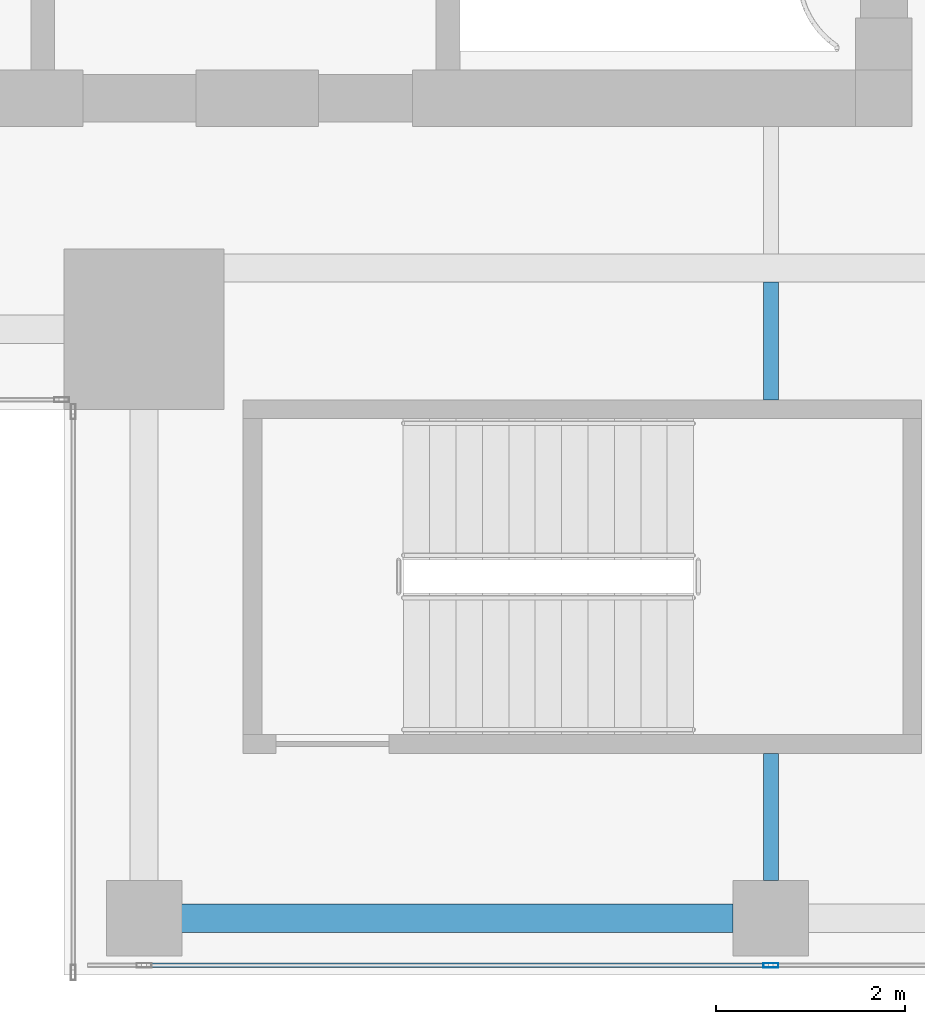
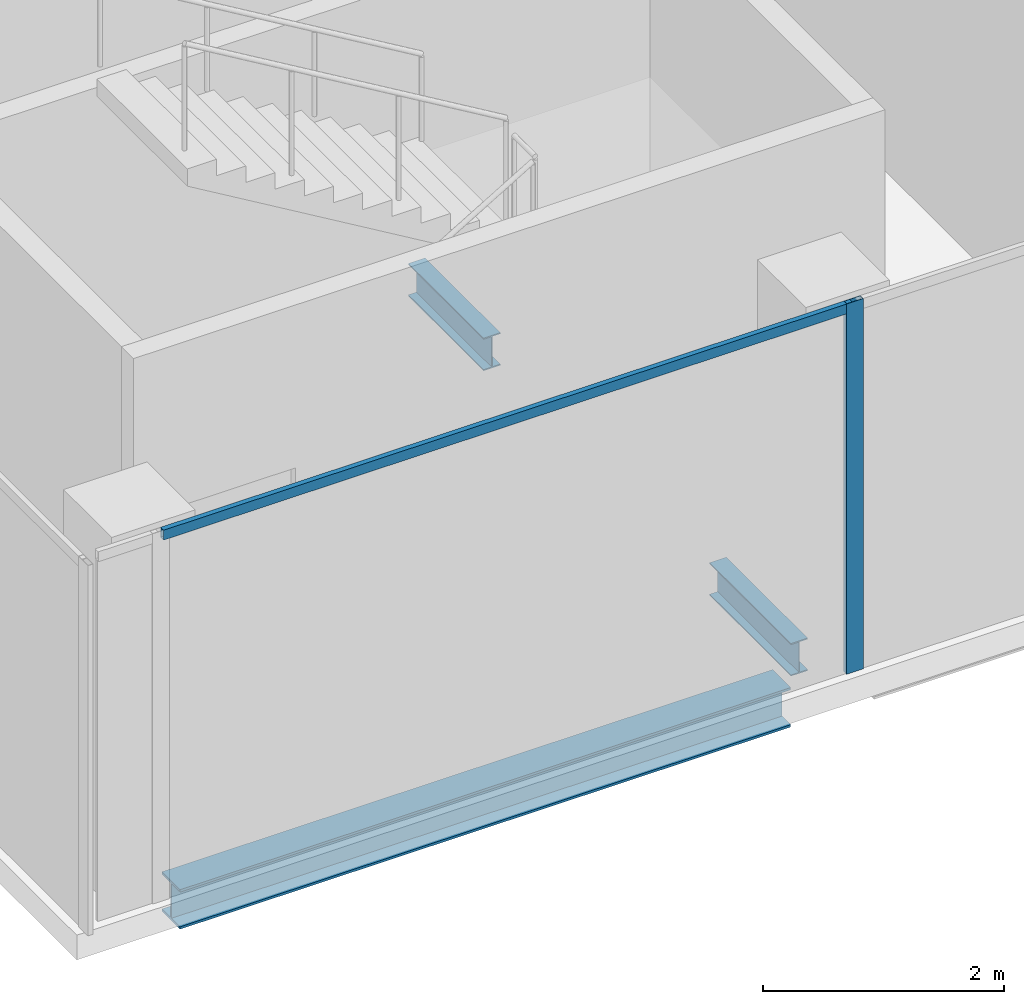
# One storey, part 3 of 29: 3 beams, 2 members, 1 element without a shape of its own.
"""IFC4 building model written with IfcOpenShell, lengths in metres."""

from ifc_helpers import new_model, si_unit, direction, frame, origin, origin_2d, place, context, subcontext, project, spatial, hollow_rectangle, i_section, extrude, source, transform, mapped, material, material_profile, profile_set, type_object, element, aggregate, save


model = new_model("IFC4")

# Units and contexts
model_context = context("Model", 3, precision=1e-05, world=origin(), true_north=direction((0.0, 1.0)))
body_context = subcontext(model_context, "Body", "Model", "MODEL_VIEW")
ifc_project = project(units=[si_unit("LENGTHUNIT", "METRE"), si_unit("AREAUNIT", "SQUARE_METRE"), si_unit("VOLUMEUNIT", "CUBIC_METRE"), si_unit("PLANEANGLEUNIT", "RADIAN"), si_unit("MASSUNIT", "GRAM", prefix="KILO")], contexts=[model_context])

# Site, building, storey
site_placement = place(None, origin())
site = spatial("IfcSite", under=ifc_project, at=site_placement, CompositionType="ELEMENT")
building_placement = place(site_placement, origin())
building = spatial("IfcBuilding", under=site, at=building_placement, Name="Khomas Fold Tower", CompositionType="ELEMENT")
storey_placement = place(building_placement, frame((0.0, 0.0, 326.199951171875)))
storey = spatial("IfcBuildingStorey", under=building, at=storey_placement, Name="L74", CompositionType="ELEMENT", Elevation=326.199951171875)

# Beams
ifc_material_1 = material(Name="Steel S355", Category="steel")
ifc_material_profile_1 = material_profile(ifc_material_1, i_section(OverallWidth=0.159912109375, OverallDepth=0.330078125, WebThickness=0.007568359375, FlangeThickness=0.011474609375, at=origin_2d()), Name="IPE 330")
ifc_profile_set_1 = profile_set([ifc_material_profile_1], Name="Steel S355")
beam_type_1 = type_object("IfcBeamType", Name="IPE 330 beam JB1", PredefinedType="BEAM", material=ifc_profile_set_1)
shared_shape_1 = source(origin(), body_context, "Body", "SweptSolid", [
    extrude(i_section(OverallWidth=0.159912109375, OverallDepth=0.330078125, WebThickness=0.007568359375, FlangeThickness=0.011474609375, at=origin_2d()), origin(), (0.0, 0.0, 1.0), 1.25),
])
beam_1_placement = place(storey_placement, frame((19.5, 12.10009765625, -0.4150390625), z_axis=(0.0, 1.0, 0.0), x_axis=(-1.0, 0.0, 0.0)))
element("IfcBeam", 1, at=beam_1_placement, inside=storey, type_object=beam_type_1, Name="JB1", PredefinedType="BEAM", context=body_context, shape_type="MappedRepresentation", body=[
    mapped(shared_shape_1, transform((0.0, 0.0, 0.0))),
])
shared_shape_2 = source(origin(), body_context, "Body", "SweptSolid", [
    extrude(i_section(OverallWidth=0.159912109375, OverallDepth=0.330078125, WebThickness=0.007568359375, FlangeThickness=0.011474609375, at=origin_2d()), origin(), (0.0, 0.0, 1.0), 1.35009765625),
])
beam_2_placement = place(storey_placement, frame((19.5, 7.0, -0.4150390625), z_axis=(0.0, 1.0, 0.0), x_axis=(-1.0, 0.0, 0.0)))
element("IfcBeam", 2, at=beam_2_placement, inside=storey, type_object=beam_type_1, Name="JB1", PredefinedType="BEAM", context=body_context, shape_type="MappedRepresentation", body=[
    mapped(shared_shape_2, transform((0.0, 0.0, 0.0))),
])
ifc_material_2 = material(Name="Steel S355", Category="steel")
ifc_material_profile_2 = material_profile(ifc_material_2, i_section(OverallWidth=0.300048828125, OverallDepth=0.39990234375, WebThickness=0.013427734375, FlangeThickness=0.02392578125, at=origin_2d()), Name="HE 400 B")
ifc_profile_set_2 = profile_set([ifc_material_profile_2], Name="Steel S355")
beam_type_2 = type_object("IfcBeamType", Name="HE 400 B spandrel SB5", PredefinedType="SPANDREL", material=ifc_profile_set_2)
shared_shape_3 = source(origin(), body_context, "Body", "SweptSolid", [
    extrude(i_section(OverallWidth=0.300048828125, OverallDepth=0.39990234375, WebThickness=0.013427734375, FlangeThickness=0.02392578125, at=origin_2d()), origin(), (0.0, 0.0, 1.0), 5.85009765625),
])
beam_3_placement = place(storey_placement, frame((13.25, 6.60009765625, -0.449951171875), z_axis=(1.0, 0.0, 0.0), x_axis=(0.0, 1.0, 0.0)))
element("IfcBeam", 3, at=beam_3_placement, inside=storey, type_object=beam_type_2, Name="SB5", PredefinedType="SPANDREL", context=body_context, shape_type="MappedRepresentation", body=[
    mapped(shared_shape_3, transform((0.0, 0.0, 0.0))),
])

# Curtain wall, members
ifc_material_3 = material(Name="Aluminium framed double glazing", Category="aluminium")
curtain_wall_type = type_object("IfcCurtainWallType", Name="SK-Unitised clear-glass wall, upper floors CW3", PredefinedType="NOTDEFINED", material=ifc_material_3)
curtain_wall_placement = place(storey_placement, origin())
curtain_wall = element("IfcCurtainWall", 4, at=curtain_wall_placement, inside=storey, type_object=curtain_wall_type, Name="CW3 run L74 00-0", PredefinedType="NOTDEFINED")
ifc_material_4 = material(Name="Aluminium", Category="aluminium")
ifc_material_profile_3 = material_profile(ifc_material_4, hollow_rectangle(XDim=0.050048828125, YDim=0.159912109375, WallThickness=0.00390625, at=origin_2d()), Name="SK-Unitised clear-glass wall, upper floors mullion CW3-M")
ifc_profile_set_3 = profile_set([ifc_material_profile_3], Name="Aluminium")
member_type_1 = type_object("IfcMemberType", Name="SK-Unitised clear-glass wall, upper floors mullion CW3-M", PredefinedType="MULLION", material=ifc_profile_set_3)
shared_shape_4 = source(origin(), body_context, "Body", "SweptSolid", [
    extrude(hollow_rectangle(XDim=0.050048828125, YDim=0.159912109375, WallThickness=0.00390625, at=origin_2d()), origin(), (0.0, 0.0, 1.0), 3.75),
])
member_1_placement = place(storey_placement, frame((19.5, 6.10009765625, 0.0), z_axis=(0.0, 0.0, 1.0), x_axis=(0.0, 1.0, 0.0)))
member_1 = element("IfcMember", 5, at=member_1_placement, type_object=member_type_1, Name="CW3 mullion 3", PredefinedType="MULLION", context=body_context, shape_type="MappedRepresentation", body=[
    mapped(shared_shape_4, transform((0.0, 0.0, 0.0))),
])
ifc_material_5 = material(Name="Aluminium", Category="aluminium")
ifc_material_profile_4 = material_profile(ifc_material_5, hollow_rectangle(XDim=0.050048828125, YDim=0.10009765625, WallThickness=0.00390625, at=origin_2d()), Name="SK-Unitised clear-glass wall, upper floors transom CW3-T")
ifc_profile_set_4 = profile_set([ifc_material_profile_4], Name="Aluminium")
member_type_2 = type_object("IfcMemberType", Name="SK-Unitised clear-glass wall, upper floors transom CW3-T", PredefinedType="USERDEFINED", material=ifc_profile_set_4)
shared_shape_5 = source(origin(), body_context, "Body", "SweptSolid", [
    extrude(hollow_rectangle(XDim=0.050048828125, YDim=0.10009765625, WallThickness=0.00390625, at=origin_2d()), origin(), (0.0, 0.0, 1.0), 6.60009765625),
])
member_2_placement = place(storey_placement, frame((12.875, 6.10009765625, 3.699951171875), z_axis=(1.0, 0.0, 0.0), x_axis=(0.0, 1.0, 0.0)))
member_2 = element("IfcMember", 6, at=member_2_placement, type_object=member_type_2, Name="CW3 transom 2", ObjectType="TRANSOM", PredefinedType="USERDEFINED", context=body_context, shape_type="MappedRepresentation", body=[
    mapped(shared_shape_5, transform((0.0, 0.0, 0.0))),
])
aggregate(curtain_wall, [member_1, member_2])

save(model, "model.ifc")
